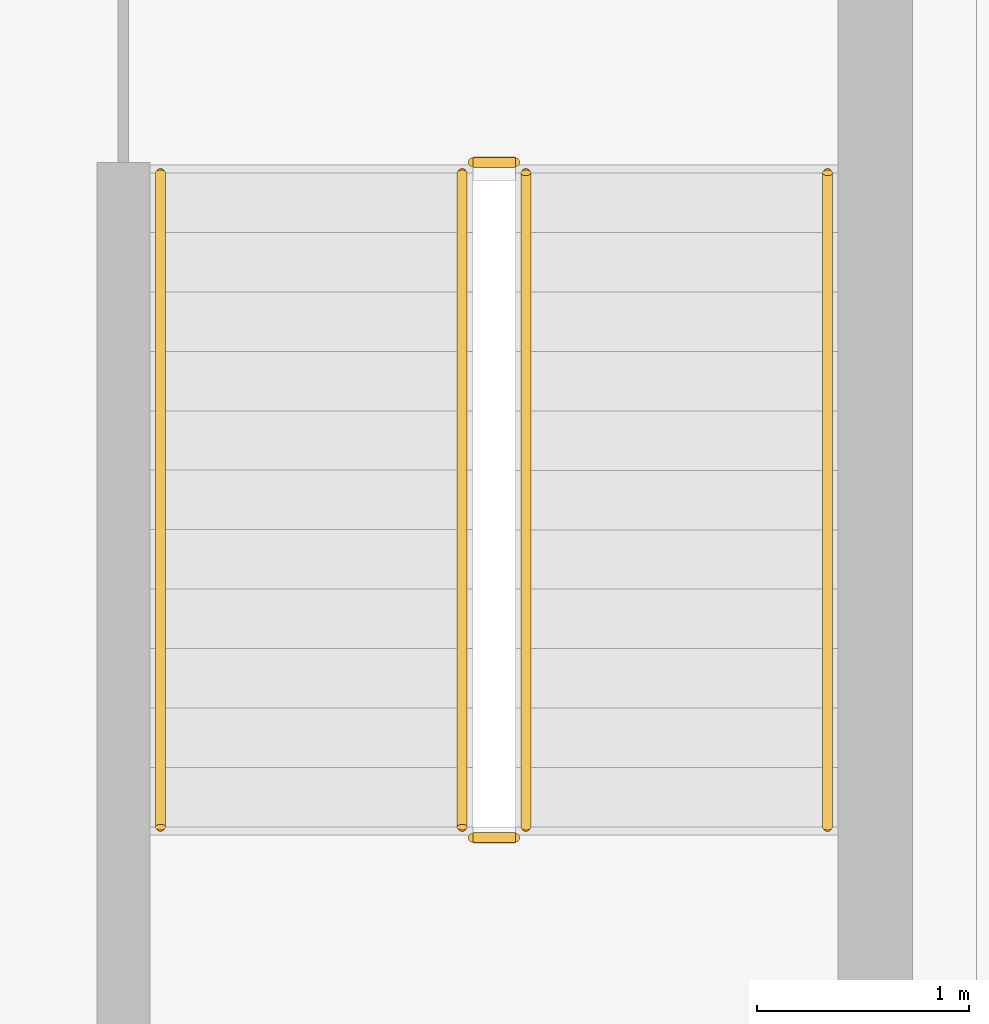
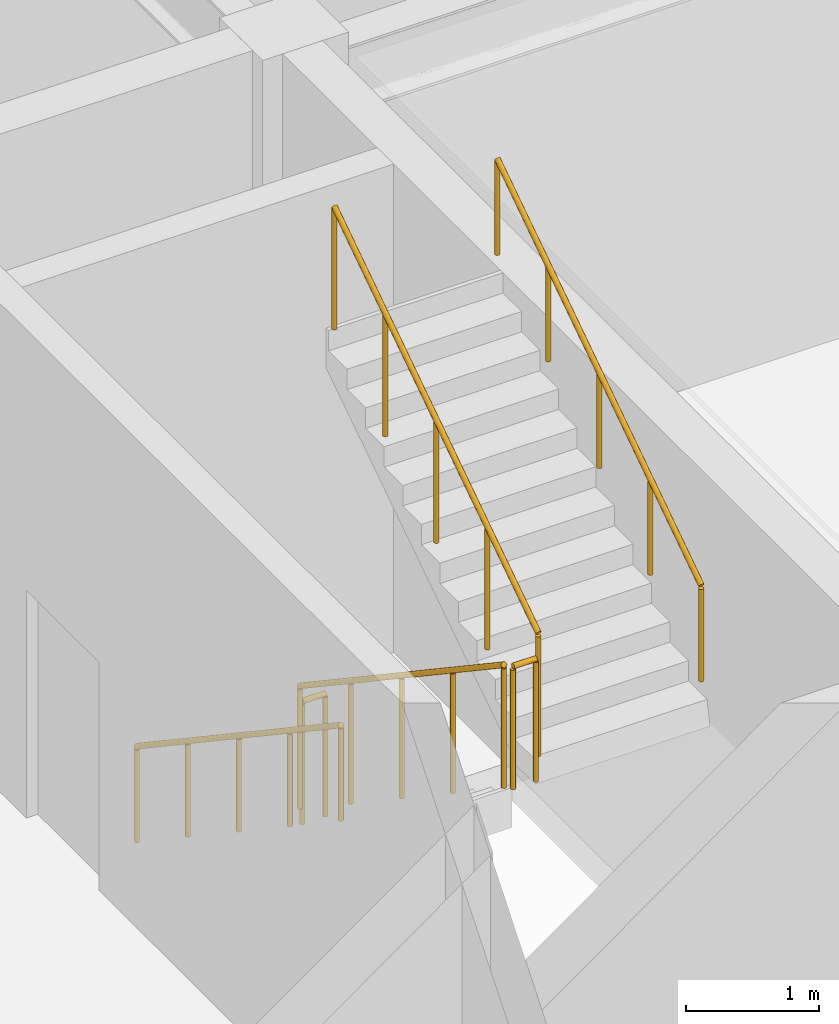
# One storey, part 8 of 9: 6 railings.
"""IFC4 building model written with IfcOpenShell, lengths in metres."""

from ifc_helpers import new_model, si_unit, direction, frame, origin, origin_2d, place, context, subcontext, project, spatial, circle, extrude, material, type_object, element, save


model = new_model("IFC4")

# Units and contexts
model_context = context("Model", 3, precision=1e-05, world=origin(), true_north=direction((0.0, 1.0)))
body_context = subcontext(model_context, "Body", "Model", "MODEL_VIEW")
ifc_project = project(units=[si_unit("LENGTHUNIT", "METRE"), si_unit("AREAUNIT", "SQUARE_METRE"), si_unit("VOLUMEUNIT", "CUBIC_METRE"), si_unit("PLANEANGLEUNIT", "RADIAN"), si_unit("MASSUNIT", "GRAM", prefix="KILO")], contexts=[model_context])

# Site, building, storey
site_placement = place(None, origin())
site = spatial("IfcSite", under=ifc_project, at=site_placement, CompositionType="ELEMENT")
building_placement = place(site_placement, origin())
building = spatial("IfcBuilding", under=site, at=building_placement, Name="Korimba Cascade Residences", CompositionType="ELEMENT")
storey_placement = place(building_placement, frame((0.0, 0.0, 259.699951171875)))
storey = spatial("IfcBuildingStorey", under=building, at=storey_placement, Name="L75", CompositionType="ELEMENT", Elevation=259.699951171875)

# Railings
ifc_material_1 = material(Name="Painted Steel Stairwell Guardrail", Category="steel")
railing_type_1 = type_object("IfcRailingType", Name="RLG-ST-GD1150", PredefinedType="GUARDRAIL", material=ifc_material_1)
railing_1_placement = place(storey_placement, frame((110.1298828125, 63.550048828125, 0.1875)))
element("IfcRailing", 1, at=railing_1_placement, inside=storey, type_object=railing_type_1, Name="L75 ST-W2 stair guard 1", PredefinedType="GUARDRAIL", context=body_context, shape_type="SweptSolid", body=[
    extrude(circle(Radius=0.02392578125, at=origin_2d()), frame((0.0, 0.0, 1.1259765625), z_axis=(0.0, -0.830913701846, 0.55640131208), x_axis=(1.0, 0.0, 0.0)), (0.0, 0.0, 1.0), 3.706787109375),
    extrude(circle(Radius=0.02099609375, at=origin_2d()), origin(), (0.0, 0.0, 1.0), 1.101806640625),
    extrude(circle(Radius=0.02099609375, at=origin_2d()), frame((0.0, -0.77001953125, 0.515625)), (0.0, 0.0, 1.0), 1.101806640625),
    extrude(circle(Radius=0.02099609375, at=origin_2d()), frame((0.0, -1.5400390625, 1.03125)), (0.0, 0.0, 1.0), 1.101806640625),
    extrude(circle(Radius=0.02099609375, at=origin_2d()), frame((0.0, -2.31005859375, 1.546875)), (0.0, 0.0, 1.0), 1.101806640625),
    extrude(circle(Radius=0.02099609375, at=origin_2d()), frame((0.0, -3.080078125, 2.0625)), (0.0, 0.0, 1.0), 1.101806640625),
])
railing_2_placement = place(storey_placement, frame((110.179931640625, 60.419921875, 2.25)))
element("IfcRailing", 2, at=railing_2_placement, inside=storey, type_object=railing_type_1, Name="L75 ST-W2 stair guard 2", PredefinedType="GUARDRAIL", context=body_context, shape_type="SweptSolid", body=[
    extrude(circle(Radius=0.02392578125, at=origin_2d()), frame((0.0, 0.0, 1.1259765625), z_axis=(1.0, 0.0, 0.0), x_axis=(0.0, 1.0, 0.0)), (0.0, 0.0, 1.0), 0.199951171875),
    extrude(circle(Radius=0.02099609375, at=origin_2d()), origin(), (0.0, 0.0, 1.0), 1.101806640625),
    extrude(circle(Radius=0.02099609375, at=origin_2d()), frame((0.199951171875, 0.0, 0.0)), (0.0, 0.0, 1.0), 1.101806640625),
])
railing_3_placement = place(storey_placement, frame((110.429931640625, 60.469970703125, 2.4375)))
element("IfcRailing", 3, at=railing_3_placement, inside=storey, type_object=railing_type_1, Name="L75 ST-W2 stair guard 3", PredefinedType="GUARDRAIL", context=body_context, shape_type="SweptSolid", body=[
    extrude(circle(Radius=0.02392578125, at=origin_2d()), frame((0.0, 0.0, 1.1259765625), z_axis=(0.0, 0.830913701846, 0.55640131208), x_axis=(-1.0, 0.0, 0.0)), (0.0, 0.0, 1.0), 3.706787109375),
    extrude(circle(Radius=0.02099609375, at=origin_2d()), origin(), (0.0, 0.0, 1.0), 1.101806640625),
    extrude(circle(Radius=0.02099609375, at=origin_2d()), frame((0.0, 0.77001953125, 0.515625)), (0.0, 0.0, 1.0), 1.101806640625),
    extrude(circle(Radius=0.02099609375, at=origin_2d()), frame((0.0, 1.5400390625, 1.03125)), (0.0, 0.0, 1.0), 1.101806640625),
    extrude(circle(Radius=0.02099609375, at=origin_2d()), frame((0.0, 2.31005859375, 1.546875)), (0.0, 0.0, 1.0), 1.101806640625),
    extrude(circle(Radius=0.02099609375, at=origin_2d()), frame((0.0, 3.080078125, 2.0625)), (0.0, 0.0, 1.0), 1.101806640625),
])
railing_4_placement = place(storey_placement, frame((110.179931640625, 63.60009765625, 0.0)))
element("IfcRailing", 4, at=railing_4_placement, inside=storey, type_object=railing_type_1, Name="L75 ST-W2 stair guard 4", PredefinedType="GUARDRAIL", context=body_context, shape_type="SweptSolid", body=[
    extrude(circle(Radius=0.02392578125, at=origin_2d()), frame((0.0, 0.0, 1.1259765625), z_axis=(1.0, 0.0, 0.0), x_axis=(0.0, 1.0, 0.0)), (0.0, 0.0, 1.0), 0.199951171875),
    extrude(circle(Radius=0.02099609375, at=origin_2d()), origin(), (0.0, 0.0, 1.0), 1.101806640625),
    extrude(circle(Radius=0.02099609375, at=origin_2d()), frame((0.199951171875, 0.0, 0.0)), (0.0, 0.0, 1.0), 1.101806640625),
])
ifc_material_2 = material(Name="Brushed Stainless Steel Handrail", Category="steel")
railing_type_2 = type_object("IfcRailingType", Name="RLG-ST-HR900", PredefinedType="HANDRAIL", material=ifc_material_2)
railing_5_placement = place(storey_placement, frame((108.7099609375, 63.550048828125, 0.379150390625)))
element("IfcRailing", 5, at=railing_5_placement, inside=storey, type_object=railing_type_2, Name="L75 ST-W2 stair handrail 1", PredefinedType="HANDRAIL", context=body_context, shape_type="SweptSolid", body=[
    extrude(circle(Radius=0.02392578125, at=origin_2d()), frame((0.0, 0.0, 0.8759765625), z_axis=(0.0, -0.830913701846, 0.55640131208), x_axis=(1.0, 0.0, 0.0)), (0.0, 0.0, 1.0), 3.706787109375),
    extrude(circle(Radius=0.02099609375, at=origin_2d()), origin(), (0.0, 0.0, 1.0), 0.851806640625),
    extrude(circle(Radius=0.02099609375, at=origin_2d()), frame((0.0, -0.77001953125, 0.515625)), (0.0, 0.0, 1.0), 0.851806640625),
    extrude(circle(Radius=0.02099609375, at=origin_2d()), frame((0.0, -1.5400390625, 1.03125)), (0.0, 0.0, 1.0), 0.851806640625),
    extrude(circle(Radius=0.02099609375, at=origin_2d()), frame((0.0, -2.31005859375, 1.546875)), (0.0, 0.0, 1.0), 0.851806640625),
    extrude(circle(Radius=0.02099609375, at=origin_2d()), frame((0.0, -3.080078125, 2.0625)), (0.0, 0.0, 1.0), 0.851806640625),
])
railing_6_placement = place(storey_placement, frame((111.85009765625, 60.469970703125, 2.629150390625)))
element("IfcRailing", 6, at=railing_6_placement, inside=storey, type_object=railing_type_2, Name="L75 ST-W2 stair handrail 2", PredefinedType="HANDRAIL", context=body_context, shape_type="SweptSolid", body=[
    extrude(circle(Radius=0.02392578125, at=origin_2d()), frame((0.0, 0.0, 0.8759765625), z_axis=(0.0, 0.830913701846, 0.55640131208), x_axis=(-1.0, 0.0, 0.0)), (0.0, 0.0, 1.0), 3.706787109375),
    extrude(circle(Radius=0.02099609375, at=origin_2d()), origin(), (0.0, 0.0, 1.0), 0.851806640625),
    extrude(circle(Radius=0.02099609375, at=origin_2d()), frame((0.0, 0.77001953125, 0.515625)), (0.0, 0.0, 1.0), 0.851806640625),
    extrude(circle(Radius=0.02099609375, at=origin_2d()), frame((0.0, 1.5400390625, 1.03125)), (0.0, 0.0, 1.0), 0.851806640625),
    extrude(circle(Radius=0.02099609375, at=origin_2d()), frame((0.0, 2.31005859375, 1.546875)), (0.0, 0.0, 1.0), 0.851806640625),
    extrude(circle(Radius=0.02099609375, at=origin_2d()), frame((0.0, 3.080078125, 2.0625)), (0.0, 0.0, 1.0), 0.851806640625),
])

save(model, "model.ifc")
